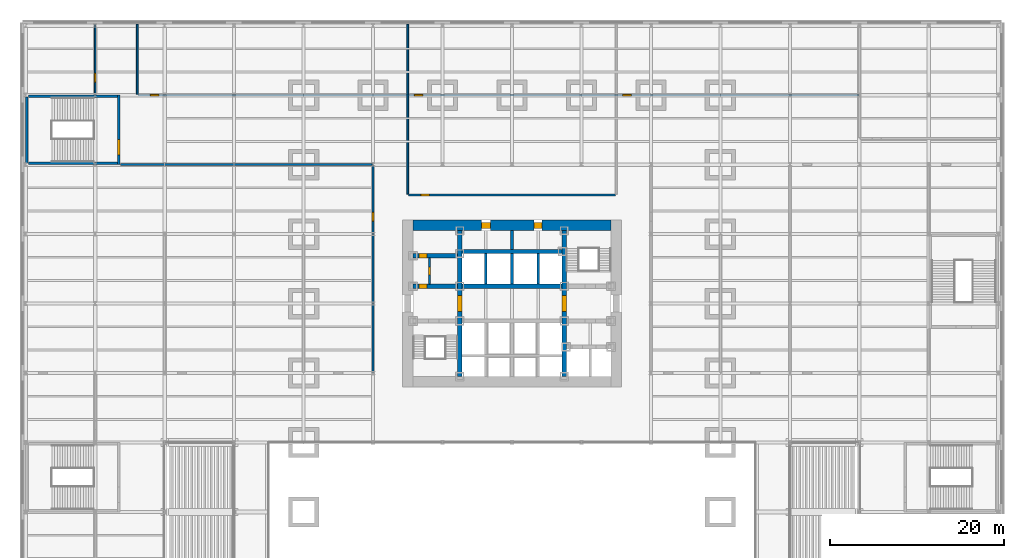
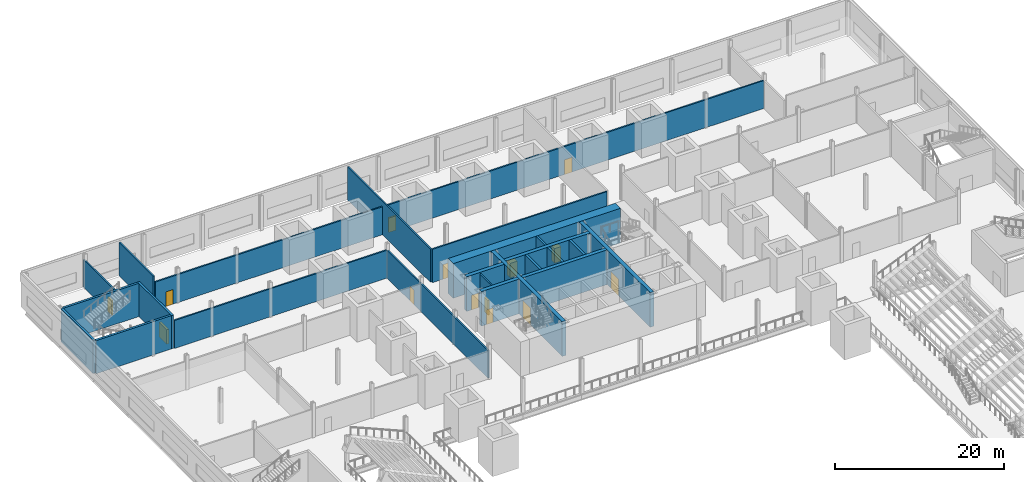
# One storey, part 16 of 27: 23 walls, 14 doors, 14 openings.
"""IFC4 building model written with IfcOpenShell, lengths in metres."""

from ifc_helpers import new_model, si_unit, direction, frame, frame_2d, origin, place, context, subcontext, project, spatial, rectangle, extrude, material, layer, layer_set, type_object, element, fill, save


model = new_model("IFC4")

# Units and contexts
model_context = context("Model", 3, precision=1e-05, world=origin(), true_north=direction((0.0, 1.0)))
body_context = subcontext(model_context, "Body", "Model", "MODEL_VIEW")
ifc_project = project(units=[si_unit("LENGTHUNIT", "METRE"), si_unit("AREAUNIT", "SQUARE_METRE"), si_unit("VOLUMEUNIT", "CUBIC_METRE"), si_unit("PLANEANGLEUNIT", "RADIAN"), si_unit("MASSUNIT", "GRAM", prefix="KILO")], contexts=[model_context])

# Site, building, storey
site_placement = place(None, origin())
site = spatial("IfcSite", under=ifc_project, at=site_placement, CompositionType="ELEMENT")
building_placement = place(site_placement, origin())
building = spatial("IfcBuilding", under=site, at=building_placement, Name="Daluyong Arena Tower", CompositionType="ELEMENT")
storey_placement = place(building_placement, frame((0.0, 0.0, 14.89990234375)))
storey = spatial("IfcBuildingStorey", under=building, at=storey_placement, Name="L03", CompositionType="ELEMENT", Elevation=14.89990234375)

# Wall, opening, door
ifc_material_1 = material(Name="Concrete fc' 45 MPa", Category="concrete")
ifc_layer_1 = layer(ifc_material_1, 0.5)
ifc_layer_set_1 = layer_set([ifc_layer_1], Name="Concrete fc' 45 MPa")
wall_type_1 = type_object("IfcWallType", Name="Core inner wall 500", PredefinedType="SHEAR", material=ifc_layer_set_1)
wall_1_placement = place(storey_placement, frame((50.0, 71.60009765625, 0.0), z_axis=(0.0, 0.0, 1.0), x_axis=(0.0, 1.0, 0.0)))
wall_1 = element("IfcWall", 1, at=wall_1_placement, inside=storey, type_object=wall_type_1, Name="core inner wall at L03", PredefinedType="SHEAR", context=body_context, shape_type="SweptSolid", body=[
    extrude(rectangle(XDim=16.7998046875, YDim=0.5, at=frame_2d((8.39990234375, 0.0))), origin(), (0.0, 0.0, 1.0), 5.0),
])
opening_1_placement = place(wall_1_placement, frame((7.5, 0.0, 0.0)))
opening_1 = element("IfcOpeningElement", 2, at=opening_1_placement, cuts=wall_1, Name="Opening 03010", PredefinedType="OPENING", context=body_context, shape_type="SweptSolid", body=[
    extrude(rectangle(XDim=1.800048828125, YDim=2.39990234375, at=frame_2d((0.89990234375, 1.199951171875))), frame((0.0, 0.260009765625, 0.0), z_axis=(0.0, -1.0, 0.0), x_axis=(1.0, 0.0, 0.0)), (0.0, 0.0, 1.0), 0.52001953125),
])
ifc_material_2 = material(Name="Steel door, fire rated", Category="steel")
door_type_1 = type_object("IfcDoorType", Name="Lift lobby opening door 1800", OperationType="DOUBLE_DOOR_SINGLE_SWING", PredefinedType="DOOR", material=ifc_material_2)
door_1_placement = place(opening_1_placement, origin())
door_1 = element("IfcDoor", 3, at=door_1_placement, inside=storey, type_object=door_type_1, Name="lift lobby door west 03010", OperationType="DOUBLE_DOOR_SINGLE_SWING", OverallHeight=2.39990234375, OverallWidth=1.800048828125, PredefinedType="DOOR", context=body_context, shape_type="SweptSolid", body=[
    extrude(rectangle(XDim=1.800048828125, YDim=2.39990234375, at=frame_2d((0.89990234375, 1.199951171875))), frame((0.0, 0.249755859375, 0.0), z_axis=(0.0, -1.0, 0.0), x_axis=(1.0, 0.0, 0.0)), (0.0, 0.0, 1.0), 0.49951171875),
])
fill(opening_1, door_1)

wall_2_placement = place(storey_placement, frame((62.0, 71.60009765625, 0.0), z_axis=(0.0, 0.0, 1.0), x_axis=(0.0, 1.0, 0.0)))
wall_2 = element("IfcWall", 4, at=wall_2_placement, inside=storey, type_object=wall_type_1, Name="core inner wall at L03", PredefinedType="SHEAR", context=body_context, shape_type="SweptSolid", body=[
    extrude(rectangle(XDim=16.7998046875, YDim=0.5, at=frame_2d((8.39990234375, 0.0))), origin(), (0.0, 0.0, 1.0), 5.0),
])
opening_2_placement = place(wall_2_placement, frame((7.5, 0.0, 0.0)))
opening_2 = element("IfcOpeningElement", 5, at=opening_2_placement, cuts=wall_2, Name="Opening 03011", PredefinedType="OPENING", context=body_context, shape_type="SweptSolid", body=[
    extrude(rectangle(XDim=1.800048828125, YDim=2.39990234375, at=frame_2d((0.89990234375, 1.199951171875))), frame((0.0, 0.260009765625, 0.0), z_axis=(0.0, -1.0, 0.0), x_axis=(1.0, 0.0, 0.0)), (0.0, 0.0, 1.0), 0.52001953125),
])
door_2_placement = place(opening_2_placement, origin())
door_2 = element("IfcDoor", 6, at=door_2_placement, inside=storey, type_object=door_type_1, Name="lift lobby door east 03011", OperationType="DOUBLE_DOOR_SINGLE_SWING", OverallHeight=2.39990234375, OverallWidth=1.800048828125, PredefinedType="DOOR", context=body_context, shape_type="SweptSolid", body=[
    extrude(rectangle(XDim=1.800048828125, YDim=2.39990234375, at=frame_2d((0.89990234375, 1.199951171875))), frame((0.0, 0.249755859375, 0.0), z_axis=(0.0, -1.0, 0.0), x_axis=(1.0, 0.0, 0.0)), (0.0, 0.0, 1.0), 0.49951171875),
])
fill(opening_2, door_2)

wall_3_placement = place(storey_placement, frame((44.60009765625, 82.0, 0.0), z_axis=(0.0, 0.0, 1.0), x_axis=(1.0, 0.0, 0.0)))
wall_3 = element("IfcWall", 7, at=wall_3_placement, inside=storey, type_object=wall_type_1, Name="core inner wall at L03", PredefinedType="SHEAR", context=body_context, shape_type="SweptSolid", body=[
    extrude(rectangle(XDim=5.14990234375, YDim=0.5, at=frame_2d((2.574951171875, 0.0))), origin(), (0.0, 0.0, 1.0), 5.0),
])
opening_3_placement = place(wall_3_placement, frame((0.699951171875, 0.0, 0.0)))
opening_3 = element("IfcOpeningElement", 8, at=opening_3_placement, cuts=wall_3, Name="Opening 03001", PredefinedType="OPENING", context=body_context, shape_type="SweptSolid", body=[
    extrude(rectangle(XDim=0.89990234375, YDim=2.10009765625, at=frame_2d((0.449951171875, 1.050048828125))), frame((0.0, 0.260009765625, 0.0), z_axis=(0.0, -1.0, 0.0), x_axis=(1.0, 0.0, 0.0)), (0.0, 0.0, 1.0), 0.52001953125),
])
ifc_material_3 = material(Name="Steel door, fire rated", Category="steel")
door_type_2 = type_object("IfcDoorType", Name="Core room door 900", OperationType="SINGLE_SWING_LEFT", PredefinedType="DOOR", material=ifc_material_3)
door_3_placement = place(opening_3_placement, origin())
door_3 = element("IfcDoor", 9, at=door_3_placement, inside=storey, type_object=door_type_2, Name="toilet lobby door 03001", OperationType="SINGLE_SWING_LEFT", OverallHeight=2.10009765625, OverallWidth=0.89990234375, PredefinedType="DOOR", context=body_context, shape_type="SweptSolid", body=[
    extrude(rectangle(XDim=0.89990234375, YDim=2.10009765625, at=frame_2d((0.449951171875, 1.050048828125))), frame((0.0, 0.249755859375, 0.0), z_axis=(0.0, -1.0, 0.0), x_axis=(1.0, 0.0, 0.0)), (0.0, 0.0, 1.0), 0.49951171875),
])
fill(opening_3, door_3)

wall_4_placement = place(storey_placement, frame((44.60009765625, 85.5, 0.0), z_axis=(0.0, 0.0, 1.0), x_axis=(1.0, 0.0, 0.0)))
wall_4 = element("IfcWall", 10, at=wall_4_placement, inside=storey, type_object=wall_type_1, Name="core inner wall at L03", PredefinedType="SHEAR", context=body_context, shape_type="SweptSolid", body=[
    extrude(rectangle(XDim=5.14990234375, YDim=0.5, at=frame_2d((2.574951171875, 0.0))), origin(), (0.0, 0.0, 1.0), 5.0),
])
opening_4_placement = place(wall_4_placement, frame((0.699951171875, 0.0, 0.0)))
opening_4 = element("IfcOpeningElement", 11, at=opening_4_placement, cuts=wall_4, Name="Opening 03003", PredefinedType="OPENING", context=body_context, shape_type="SweptSolid", body=[
    extrude(rectangle(XDim=0.89990234375, YDim=2.10009765625, at=frame_2d((0.449951171875, 1.050048828125))), frame((0.0, 0.260009765625, 0.0), z_axis=(0.0, -1.0, 0.0), x_axis=(1.0, 0.0, 0.0)), (0.0, 0.0, 1.0), 0.52001953125),
])
ifc_material_4 = material(Name="Timber door", Category="wood")
door_type_3 = type_object("IfcDoorType", Name="Toilet door 900", OperationType="SINGLE_SWING_RIGHT", PredefinedType="DOOR", material=ifc_material_4)
door_4_placement = place(opening_4_placement, origin())
door_4 = element("IfcDoor", 12, at=door_4_placement, inside=storey, type_object=door_type_3, Name="female toilet door 03003", OperationType="SINGLE_SWING_RIGHT", OverallHeight=2.10009765625, OverallWidth=0.89990234375, PredefinedType="DOOR", context=body_context, shape_type="SweptSolid", body=[
    extrude(rectangle(XDim=0.89990234375, YDim=2.10009765625, at=frame_2d((0.449951171875, 1.050048828125))), frame((0.0, 0.249755859375, 0.0), z_axis=(0.0, -1.0, 0.0), x_axis=(1.0, 0.0, 0.0)), (0.0, 0.0, 1.0), 0.49951171875),
])
fill(opening_4, door_4)

# Walls
for number, where, z_axis, x_axis, name in (
    (13, (50.25, 82.0, 0.0), (0.0, 0.0, 1.0), (1.0, 0.0, 0.0), "core inner wall at L03"),
    (14, (50.25, 86.0, 0.0), (0.0, 0.0, 1.0), (1.0, 0.0, 0.0), "core inner wall at L03"),
):
    element("IfcWall", number, at=place(storey_placement, frame(where, z_axis=z_axis, x_axis=x_axis)), inside=storey, type_object=wall_type_1, Name=name, PredefinedType="SHEAR", context=body_context, shape_type="SweptSolid", body=[
        extrude(rectangle(XDim=11.5, YDim=0.5, at=frame_2d((5.75, 0.0))), origin(), (0.0, 0.0, 1.0), 5.0),
    ])

# Wall, openings, doors
ifc_material_5 = material(Name="Concrete fc' 60 MPa", Category="concrete")
ifc_layer_2 = layer(ifc_material_5, 1.199951171875)
ifc_layer_set_2 = layer_set([ifc_layer_2], Name="Concrete fc' 60 MPa")
wall_type_2 = type_object("IfcWallType", Name="Core wall 1200", PredefinedType="SHEAR", material=ifc_layer_set_2)
wall_5_placement = place(storey_placement, frame((44.60009765625, 89.0, 0.0), z_axis=(0.0, 0.0, 1.0), x_axis=(1.0, 0.0, 0.0)))
wall_5 = element("IfcWall", 15, at=wall_5_placement, inside=storey, type_object=wall_type_2, Name="core wall at L03", PredefinedType="SHEAR", context=body_context, shape_type="SweptSolid", body=[
    extrude(rectangle(XDim=22.7998046875, YDim=1.199951171875, at=frame_2d((11.39990234375, 0.0))), origin(), (0.0, 0.0, 1.0), 5.0),
])
opening_5_placement = place(wall_5_placement, frame((7.89990234375, 0.0, 0.0)))
opening_5 = element("IfcOpeningElement", 16, at=opening_5_placement, cuts=wall_5, Name="Opening 03004", PredefinedType="OPENING", context=body_context, shape_type="SweptSolid", body=[
    extrude(rectangle(XDim=1.0, YDim=2.10009765625, at=frame_2d((0.5, 1.050048828125))), frame((0.0, 0.60986328125, 0.0), z_axis=(0.0, -1.0, 0.0), x_axis=(1.0, 0.0, 0.0)), (0.0, 0.0, 1.0), 1.219970703125),
])
opening_6_placement = place(wall_5_placement, frame((13.949951171875, 0.0, 0.0)))
opening_6 = element("IfcOpeningElement", 17, at=opening_6_placement, cuts=wall_5, Name="Opening 03005", PredefinedType="OPENING", context=body_context, shape_type="SweptSolid", body=[
    extrude(rectangle(XDim=0.89990234375, YDim=2.10009765625, at=frame_2d((0.449951171875, 1.050048828125))), frame((0.0, 0.60986328125, 0.0), z_axis=(0.0, -1.0, 0.0), x_axis=(1.0, 0.0, 0.0)), (0.0, 0.0, 1.0), 1.219970703125),
])
ifc_material_6 = material(Name="Timber door", Category="wood")
door_type_4 = type_object("IfcDoorType", Name="Accessible toilet door 1000", OperationType="SINGLE_SWING_LEFT", PredefinedType="DOOR", material=ifc_material_6)
door_5_placement = place(opening_5_placement, origin())
door_5 = element("IfcDoor", 18, at=door_5_placement, inside=storey, type_object=door_type_4, Name="accessible toilet door 03004", OperationType="SINGLE_SWING_LEFT", OverallHeight=2.10009765625, OverallWidth=1.0, PredefinedType="DOOR", context=body_context, shape_type="SweptSolid", body=[
    extrude(rectangle(XDim=1.0, YDim=2.10009765625, at=frame_2d((0.5, 1.050048828125))), frame((0.0, 0.35009765625, 0.0), z_axis=(0.0, -1.0, 0.0), x_axis=(1.0, 0.0, 0.0)), (0.0, 0.0, 1.0), 0.699951171875),
])
fill(opening_5, door_5)
ifc_material_7 = material(Name="Steel door, fire rated", Category="steel")
door_type_5 = type_object("IfcDoorType", Name="Riser door 900", OperationType="SINGLE_SWING_LEFT", PredefinedType="DOOR", material=ifc_material_7)
door_6_placement = place(opening_6_placement, origin())
door_6 = element("IfcDoor", 19, at=door_6_placement, inside=storey, type_object=door_type_5, Name="riser door 03005", OperationType="SINGLE_SWING_LEFT", OverallHeight=2.10009765625, OverallWidth=0.89990234375, PredefinedType="DOOR", context=body_context, shape_type="SweptSolid", body=[
    extrude(rectangle(XDim=0.89990234375, YDim=2.10009765625, at=frame_2d((0.449951171875, 1.050048828125))), frame((0.0, 0.35009765625, 0.0), z_axis=(0.0, -1.0, 0.0), x_axis=(1.0, 0.0, 0.0)), (0.0, 0.0, 1.0), 0.699951171875),
])
fill(opening_6, door_6)

# Wall, opening, door
ifc_material_8 = material(Name="Concrete block partition, fire rated", Category="concrete")
ifc_layer_3 = layer(ifc_material_8, 0.199951171875)
ifc_layer_set_3 = layer_set([ifc_layer_3], Name="Concrete block partition, fire rated")
wall_type_3 = type_object("IfcWallType", Name="Fire-rated partition 200", PredefinedType="PARTITIONING", material=ifc_layer_set_3)
wall_6_placement = place(storey_placement, frame((46.5, 82.25, 0.0), z_axis=(0.0, 0.0, 1.0), x_axis=(0.0, 1.0, 0.0)))
wall_6 = element("IfcWall", 20, at=wall_6_placement, inside=storey, type_object=wall_type_3, Name="toilet lobby partition at L03", PredefinedType="PARTITIONING", context=body_context, shape_type="SweptSolid", body=[
    extrude(rectangle(XDim=3.0, YDim=0.199951171875, at=frame_2d((1.5, 0.0))), origin(), (0.0, 0.0, 1.0), 4.800048828125),
])
opening_7_placement = place(wall_6_placement, frame((1.050048828125, 0.0, 0.0)))
opening_7 = element("IfcOpeningElement", 21, at=opening_7_placement, cuts=wall_6, Name="Opening 03002", PredefinedType="OPENING", context=body_context, shape_type="SweptSolid", body=[
    extrude(rectangle(XDim=0.89990234375, YDim=2.10009765625, at=frame_2d((0.449951171875, 1.050048828125))), frame((0.0, 0.10986328125, 0.0), z_axis=(0.0, -1.0, 0.0), x_axis=(1.0, 0.0, 0.0)), (0.0, 0.0, 1.0), 0.219970703125),
])
door_7_placement = place(opening_7_placement, origin())
door_7 = element("IfcDoor", 22, at=door_7_placement, inside=storey, type_object=door_type_3, Name="male toilet door 03002", OperationType="SINGLE_SWING_RIGHT", OverallHeight=2.10009765625, OverallWidth=0.89990234375, PredefinedType="DOOR", context=body_context, shape_type="SweptSolid", body=[
    extrude(rectangle(XDim=0.89990234375, YDim=2.10009765625, at=frame_2d((0.449951171875, 1.050048828125))), frame((0.0, 0.099609375, 0.0), z_axis=(0.0, -1.0, 0.0), x_axis=(1.0, 0.0, 0.0)), (0.0, 0.0, 1.0), 0.199462890625),
])
fill(opening_7, door_7)

# Walls
ifc_material_9 = material(Name="Concrete fc' 45 MPa", Category="concrete")
ifc_layer_4 = layer(ifc_material_9, 0.300048828125)
ifc_layer_set_4 = layer_set([ifc_layer_4], Name="Concrete fc' 45 MPa")
wall_type_4 = type_object("IfcWallType", Name="Lift shaft wall 300", PredefinedType="SHEAR", material=ifc_layer_set_4)
for number, where, z_axis, x_axis, name in (
    (23, (53.0, 82.25, 0.0), (0.0, 0.0, 1.0), (0.0, 1.0, 0.0), "lift shaft wall at L03"),
    (24, (56.0, 82.25, 0.0), (0.0, 0.0, 1.0), (0.0, 1.0, 0.0), "lift shaft wall at L03"),
    (25, (59.0, 82.25, 0.0), (0.0, 0.0, 1.0), (0.0, 1.0, 0.0), "lift shaft wall at L03"),
):
    element("IfcWall", number, at=place(storey_placement, frame(where, z_axis=z_axis, x_axis=x_axis)), inside=storey, type_object=wall_type_4, Name=name, PredefinedType="SHEAR", context=body_context, shape_type="SweptSolid", body=[
        extrude(rectangle(XDim=3.5, YDim=0.300048828125, at=frame_2d((1.75, 0.0))), origin(), (0.0, 0.0, 1.0), 5.0),
    ])
wall_7_placement = place(storey_placement, frame((56.0, 86.25, 0.0), z_axis=(0.0, 0.0, 1.0), x_axis=(0.0, 1.0, 0.0)))
element("IfcWall", 26, at=wall_7_placement, inside=storey, type_object=wall_type_4, Name="lift shaft wall at L03", PredefinedType="SHEAR", context=body_context, shape_type="SweptSolid", body=[
    extrude(rectangle(XDim=2.14990234375, YDim=0.300048828125, at=frame_2d((1.074951171875, 0.0))), origin(), (0.0, 0.0, 1.0), 5.0),
])

# Wall, opening, door
ifc_material_10 = material(Name="Concrete block partition", Category="concrete")
ifc_layer_5 = layer(ifc_material_10, 0.199951171875)
ifc_layer_set_5 = layer_set([ifc_layer_5], Name="Concrete block partition")
wall_type_5 = type_object("IfcWallType", Name="Partition 200", PredefinedType="PARTITIONING", material=ifc_layer_set_5)
wall_8_placement = place(storey_placement, frame((44.10009765625, 92.5, 0.0), z_axis=(0.0, 0.0, 1.0), x_axis=(1.0, 0.0, 0.0)))
wall_8 = element("IfcWall", 27, at=wall_8_placement, inside=storey, type_object=wall_type_5, Name="partition at L03", PredefinedType="PARTITIONING", context=body_context, shape_type="SweptSolid", body=[
    extrude(rectangle(XDim=23.7998046875, YDim=0.199951171875, at=frame_2d((11.89990234375, 0.0))), origin(), (0.0, 0.0, 1.0), 4.800048828125),
])
opening_8_placement = place(wall_8_placement, frame((1.39990234375, 0.0, 0.0)))
opening_8 = element("IfcOpeningElement", 28, at=opening_8_placement, cuts=wall_8, Name="Opening 03042", PredefinedType="OPENING", context=body_context, shape_type="SweptSolid", body=[
    extrude(rectangle(XDim=1.0, YDim=2.10009765625, at=frame_2d((0.5, 1.050048828125))), frame((0.0, 0.10986328125, 0.0), z_axis=(0.0, -1.0, 0.0), x_axis=(1.0, 0.0, 0.0)), (0.0, 0.0, 1.0), 0.219970703125),
])
ifc_material_11 = material(Name="Timber door", Category="wood")
door_type_6 = type_object("IfcDoorType", Name="Room door 1000", OperationType="SINGLE_SWING_LEFT", PredefinedType="DOOR", material=ifc_material_11)
door_8_placement = place(opening_8_placement, origin())
door_8 = element("IfcDoor", 29, at=door_8_placement, inside=storey, type_object=door_type_6, Name="scenery workshop door 03042", OperationType="SINGLE_SWING_LEFT", OverallHeight=2.10009765625, OverallWidth=1.0, PredefinedType="DOOR", context=body_context, shape_type="SweptSolid", body=[
    extrude(rectangle(XDim=1.0, YDim=2.10009765625, at=frame_2d((0.5, 1.050048828125))), frame((0.0, 0.099609375, 0.0), z_axis=(0.0, -1.0, 0.0), x_axis=(1.0, 0.0, 0.0)), (0.0, 0.0, 1.0), 0.199462890625),
])
fill(opening_8, door_8)

# Wall
wall_9_placement = place(storey_placement, frame((10.949951171875, 96.0, 0.0), z_axis=(0.0, 0.0, 1.0), x_axis=(1.0, 0.0, 0.0)))
element("IfcWall", 30, at=wall_9_placement, inside=storey, type_object=wall_type_5, Name="partition at L03", PredefinedType="PARTITIONING", context=body_context, shape_type="SweptSolid", body=[
    extrude(rectangle(XDim=28.949951171875, YDim=0.199951171875, at=frame_2d((14.47509765625, 0.0))), origin(), (0.0, 0.0, 1.0), 4.02783203125),
])

# Wall, openings, doors
wall_10_placement = place(storey_placement, frame((12.949951171875, 104.0, 0.0), z_axis=(0.0, 0.0, 1.0), x_axis=(1.0, 0.0, 0.0)))
wall_10 = element("IfcWall", 31, at=wall_10_placement, inside=storey, type_object=wall_type_5, Name="partition at L03", PredefinedType="PARTITIONING", context=body_context, shape_type="SweptSolid", body=[
    extrude(rectangle(XDim=82.949951171875, YDim=0.199951171875, at=frame_2d((41.47509765625, 0.0))), origin(), (0.0, 0.0, 1.0), 4.02783203125),
])
opening_9_placement = place(wall_10_placement, frame((1.39990234375, 0.0, 0.0)))
opening_9 = element("IfcOpeningElement", 32, at=opening_9_placement, cuts=wall_10, Name="Opening 03040", PredefinedType="OPENING", context=body_context, shape_type="SweptSolid", body=[
    extrude(rectangle(XDim=1.0, YDim=2.10009765625, at=frame_2d((0.5, 1.050048828125))), frame((0.0, 0.10986328125, 0.0), z_axis=(0.0, -1.0, 0.0), x_axis=(1.0, 0.0, 0.0)), (0.0, 0.0, 1.0), 0.219970703125),
])
opening_10_placement = place(wall_10_placement, frame((31.800048828125, 0.0, 0.0)))
opening_10 = element("IfcOpeningElement", 33, at=opening_10_placement, cuts=wall_10, Name="Opening 03043", PredefinedType="OPENING", context=body_context, shape_type="SweptSolid", body=[
    extrude(rectangle(XDim=1.0, YDim=2.10009765625, at=frame_2d((0.5, 1.050048828125))), frame((0.0, 0.10986328125, 0.0), z_axis=(0.0, -1.0, 0.0), x_axis=(1.0, 0.0, 0.0)), (0.0, 0.0, 1.0), 0.219970703125),
])
opening_11_placement = place(wall_10_placement, frame((55.800048828125, 0.0, 0.0)))
opening_11 = element("IfcOpeningElement", 34, at=opening_11_placement, cuts=wall_10, Name="Opening 03044", PredefinedType="OPENING", context=body_context, shape_type="SweptSolid", body=[
    extrude(rectangle(XDim=1.0, YDim=2.10009765625, at=frame_2d((0.5, 1.050048828125))), frame((0.0, 0.10986328125, 0.0), z_axis=(0.0, -1.0, 0.0), x_axis=(1.0, 0.0, 0.0)), (0.0, 0.0, 1.0), 0.219970703125),
])
door_9_placement = place(opening_9_placement, origin())
door_9 = element("IfcDoor", 35, at=door_9_placement, inside=storey, type_object=door_type_6, Name="event production workshop door 03040", OperationType="SINGLE_SWING_LEFT", OverallHeight=2.10009765625, OverallWidth=1.0, PredefinedType="DOOR", context=body_context, shape_type="SweptSolid", body=[
    extrude(rectangle(XDim=1.0, YDim=2.10009765625, at=frame_2d((0.5, 1.050048828125))), frame((0.0, 0.099609375, 0.0), z_axis=(0.0, -1.0, 0.0), x_axis=(1.0, 0.0, 0.0)), (0.0, 0.0, 1.0), 0.199462890625),
])
fill(opening_9, door_9)
door_10_placement = place(opening_10_placement, origin())
door_10 = element("IfcDoor", 36, at=door_10_placement, inside=storey, type_object=door_type_6, Name="scenery workshop door 03043", OperationType="SINGLE_SWING_LEFT", OverallHeight=2.10009765625, OverallWidth=1.0, PredefinedType="DOOR", context=body_context, shape_type="SweptSolid", body=[
    extrude(rectangle(XDim=1.0, YDim=2.10009765625, at=frame_2d((0.5, 1.050048828125))), frame((0.0, 0.099609375, 0.0), z_axis=(0.0, -1.0, 0.0), x_axis=(1.0, 0.0, 0.0)), (0.0, 0.0, 1.0), 0.199462890625),
])
fill(opening_10, door_10)
door_11_placement = place(opening_11_placement, origin())
door_11 = element("IfcDoor", 37, at=door_11_placement, inside=storey, type_object=door_type_6, Name="scenery workshop door 03044", OperationType="SINGLE_SWING_LEFT", OverallHeight=2.10009765625, OverallWidth=1.0, PredefinedType="DOOR", context=body_context, shape_type="SweptSolid", body=[
    extrude(rectangle(XDim=1.0, YDim=2.10009765625, at=frame_2d((0.5, 1.050048828125))), frame((0.0, 0.099609375, 0.0), z_axis=(0.0, -1.0, 0.0), x_axis=(1.0, 0.0, 0.0)), (0.0, 0.0, 1.0), 0.199462890625),
])
fill(opening_11, door_11)

# Wall, opening, door
wall_11_placement = place(storey_placement, frame((8.0, 104.10009765625, 0.0), z_axis=(0.0, 0.0, 1.0), x_axis=(0.0, 1.0, 0.0)))
wall_11 = element("IfcWall", 38, at=wall_11_placement, inside=storey, type_object=wall_type_5, Name="partition at L03", PredefinedType="PARTITIONING", context=body_context, shape_type="SweptSolid", body=[
    extrude(rectangle(XDim=8.0498046875, YDim=0.199951171875, at=frame_2d((4.02490234375, 0.0))), origin(), (0.0, 0.0, 1.0), 4.02783203125),
])
opening_12_placement = place(wall_11_placement, frame((1.39990234375, 0.0, 0.0)))
opening_12 = element("IfcOpeningElement", 39, at=opening_12_placement, cuts=wall_11, Name="Opening 03041", PredefinedType="OPENING", context=body_context, shape_type="SweptSolid", body=[
    extrude(rectangle(XDim=1.0, YDim=2.10009765625, at=frame_2d((0.5, 1.050048828125))), frame((0.0, 0.10986328125, 0.0), z_axis=(0.0, -1.0, 0.0), x_axis=(1.0, 0.0, 0.0)), (0.0, 0.0, 1.0), 0.219970703125),
])
door_12_placement = place(opening_12_placement, origin())
door_12 = element("IfcDoor", 40, at=door_12_placement, inside=storey, type_object=door_type_6, Name="event crew room door 03041", OperationType="SINGLE_SWING_LEFT", OverallHeight=2.10009765625, OverallWidth=1.0, PredefinedType="DOOR", context=body_context, shape_type="SweptSolid", body=[
    extrude(rectangle(XDim=1.0, YDim=2.10009765625, at=frame_2d((0.5, 1.050048828125))), frame((0.0, 0.099609375, 0.0), z_axis=(0.0, -1.0, 0.0), x_axis=(1.0, 0.0, 0.0)), (0.0, 0.0, 1.0), 0.199462890625),
])
fill(opening_12, door_12)

# Wall
wall_12_placement = place(storey_placement, frame((12.85009765625, 104.10009765625, 0.0), z_axis=(0.0, 0.0, 1.0), x_axis=(0.0, 1.0, 0.0)))
element("IfcWall", 41, at=wall_12_placement, inside=storey, type_object=wall_type_5, Name="partition at L03", PredefinedType="PARTITIONING", context=body_context, shape_type="SweptSolid", body=[
    extrude(rectangle(XDim=8.0498046875, YDim=0.199951171875, at=frame_2d((4.02490234375, 0.0))), origin(), (0.0, 0.0, 1.0), 4.800048828125),
])

# Wall, opening, door
wall_13_placement = place(storey_placement, frame((40.0, 72.10009765625, 0.0), z_axis=(0.0, 0.0, 1.0), x_axis=(0.0, 1.0, 0.0)))
wall_13 = element("IfcWall", 42, at=wall_13_placement, inside=storey, type_object=wall_type_5, Name="partition at L03", PredefinedType="PARTITIONING", context=body_context, shape_type="SweptSolid", body=[
    extrude(rectangle(XDim=23.7998046875, YDim=0.199951171875, at=frame_2d((11.89990234375, 0.0))), origin(), (0.0, 0.0, 1.0), 4.02783203125),
])
opening_13_placement = place(wall_13_placement, frame((17.39990234375, 0.0, 0.0)))
opening_13 = element("IfcOpeningElement", 43, at=opening_13_placement, cuts=wall_13, Name="Opening 03039", PredefinedType="OPENING", context=body_context, shape_type="SweptSolid", body=[
    extrude(rectangle(XDim=1.0, YDim=2.10009765625, at=frame_2d((0.5, 1.050048828125))), frame((0.0, 0.10986328125, 0.0), z_axis=(0.0, -1.0, 0.0), x_axis=(1.0, 0.0, 0.0)), (0.0, 0.0, 1.0), 0.219970703125),
])
door_13_placement = place(opening_13_placement, origin())
door_13 = element("IfcDoor", 44, at=door_13_placement, inside=storey, type_object=door_type_6, Name="laundry and wardrobe room door 03039", OperationType="SINGLE_SWING_LEFT", OverallHeight=2.10009765625, OverallWidth=1.0, PredefinedType="DOOR", context=body_context, shape_type="SweptSolid", body=[
    extrude(rectangle(XDim=1.0, YDim=2.10009765625, at=frame_2d((0.5, 1.050048828125))), frame((0.0, 0.099609375, 0.0), z_axis=(0.0, -1.0, 0.0), x_axis=(1.0, 0.0, 0.0)), (0.0, 0.0, 1.0), 0.199462890625),
])
fill(opening_13, door_13)

# Walls
wall_14_placement = place(storey_placement, frame((44.0, 92.60009765625, 0.0), z_axis=(0.0, 0.0, 1.0), x_axis=(0.0, 1.0, 0.0)))
element("IfcWall", 45, at=wall_14_placement, inside=storey, type_object=wall_type_5, Name="partition at L03", PredefinedType="PARTITIONING", context=body_context, shape_type="SweptSolid", body=[
    extrude(rectangle(XDim=19.5498046875, YDim=0.199951171875, at=frame_2d((9.77490234375, 0.0))), origin(), (0.0, 0.0, 1.0), 4.800048828125),
])
ifc_material_12 = material(Name="Concrete fc' 35 MPa", Category="concrete")
ifc_layer_6 = layer(ifc_material_12, 0.300048828125)
ifc_layer_set_6 = layer_set([ifc_layer_6], Name="Concrete fc' 35 MPa")
wall_type_6 = type_object("IfcWallType", Name="Stair enclosure wall 300", PredefinedType="SOLIDWALL", material=ifc_layer_set_6)
wall_15_placement = place(storey_placement, frame((0.14990234375, 96.208251953125, 0.0), z_axis=(0.0, 0.0, 1.0), x_axis=(0.0, 1.0, 0.0)))
element("IfcWall", 46, at=wall_15_placement, inside=storey, type_object=wall_type_6, Name="exit stair PS5 enclosure", PredefinedType="SOLIDWALL", context=body_context, shape_type="SweptSolid", body=[
    extrude(rectangle(XDim=7.58349609375, YDim=0.300048828125, at=frame_2d((3.791748046875, 0.0))), origin(), (0.0, 0.0, 1.0), 4.800048828125),
])

# Wall, opening, door
wall_16_placement = place(storey_placement, frame((10.699951171875, 96.0, 0.0), z_axis=(0.0, 0.0, 1.0), x_axis=(0.0, 1.0, 0.0)))
wall_16 = element("IfcWall", 47, at=wall_16_placement, inside=storey, type_object=wall_type_6, Name="exit stair PS5 enclosure", PredefinedType="SOLIDWALL", context=body_context, shape_type="SweptSolid", body=[
    extrude(rectangle(XDim=8.0, YDim=0.300048828125, at=frame_2d((4.0, 0.0))), origin(), (0.0, 0.0, 1.0), 4.800048828125),
])
opening_14_placement = place(wall_16_placement, frame((1.10009765625, 0.0, 0.0)))
opening_14 = element("IfcOpeningElement", 48, at=opening_14_placement, cuts=wall_16, Name="Opening 03019", PredefinedType="OPENING", context=body_context, shape_type="SweptSolid", body=[
    extrude(rectangle(XDim=1.800048828125, YDim=2.10009765625, at=frame_2d((0.89990234375, 1.050048828125))), frame((0.0, 0.159912109375, 0.0), z_axis=(0.0, -1.0, 0.0), x_axis=(1.0, 0.0, 0.0)), (0.0, 0.0, 1.0), 0.320068359375),
])
ifc_material_13 = material(Name="Steel door, fire rated", Category="steel")
door_type_7 = type_object("IfcDoorType", Name="Exit stair double door 1800", OperationType="DOUBLE_DOOR_SINGLE_SWING", PredefinedType="DOOR", material=ifc_material_13)
door_14_placement = place(opening_14_placement, origin())
door_14 = element("IfcDoor", 49, at=door_14_placement, inside=storey, type_object=door_type_7, Name="exit stair PS5 door 03019", OperationType="DOUBLE_DOOR_SINGLE_SWING", OverallHeight=2.10009765625, OverallWidth=1.800048828125, PredefinedType="DOOR", context=body_context, shape_type="SweptSolid", body=[
    extrude(rectangle(XDim=1.800048828125, YDim=2.10009765625, at=frame_2d((0.89990234375, 1.050048828125))), frame((0.0, 0.14990234375, 0.0), z_axis=(0.0, -1.0, 0.0), x_axis=(1.0, 0.0, 0.0)), (0.0, 0.0, 1.0), 0.299560546875),
])
fill(opening_14, door_14)

# Walls
for number, where, z_axis, x_axis, name in (
    (50, (0.300048828125, 96.14990234375, 0.0), (0.0, 0.0, 1.0), (1.0, 0.0, 0.0), "exit stair PS5 enclosure"),
    (51, (0.300048828125, 103.85009765625, 0.0), (0.0, 0.0, 1.0), (1.0, 0.0, 0.0), "exit stair PS5 enclosure"),
):
    element("IfcWall", number, at=place(storey_placement, frame(where, z_axis=z_axis, x_axis=x_axis)), inside=storey, type_object=wall_type_6, Name=name, PredefinedType="SOLIDWALL", context=body_context, shape_type="SweptSolid", body=[
        extrude(rectangle(XDim=10.25, YDim=0.300048828125, at=frame_2d((5.125, 0.0))), origin(), (0.0, 0.0, 1.0), 4.800048828125),
    ])

save(model, "model.ifc")
